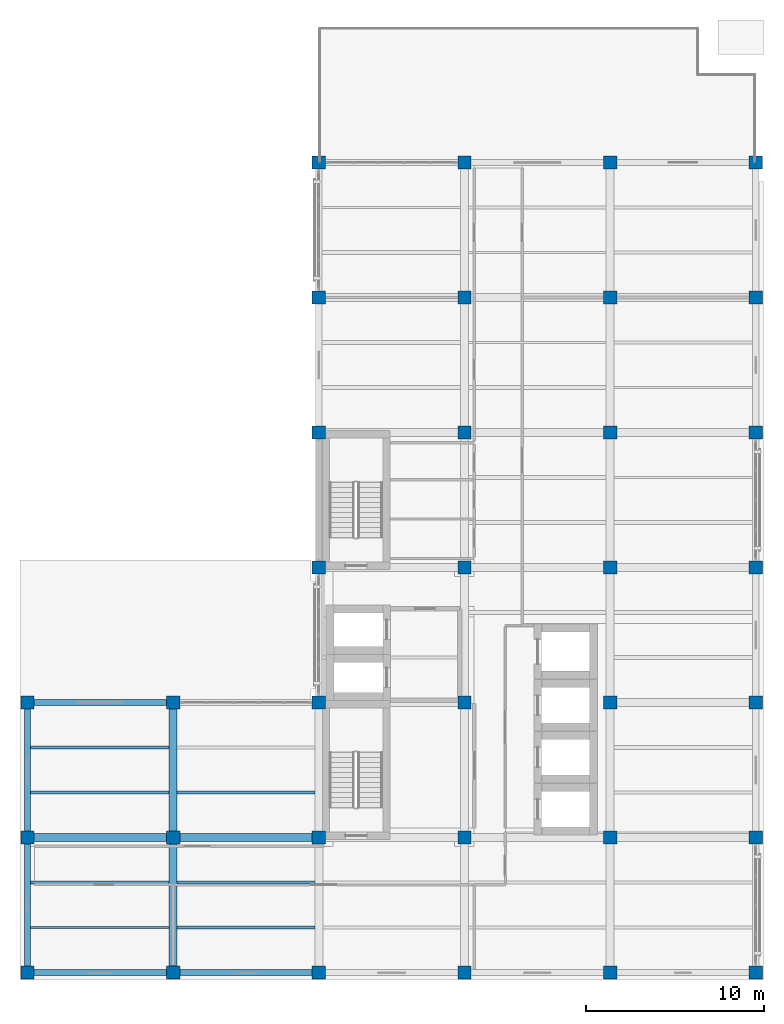
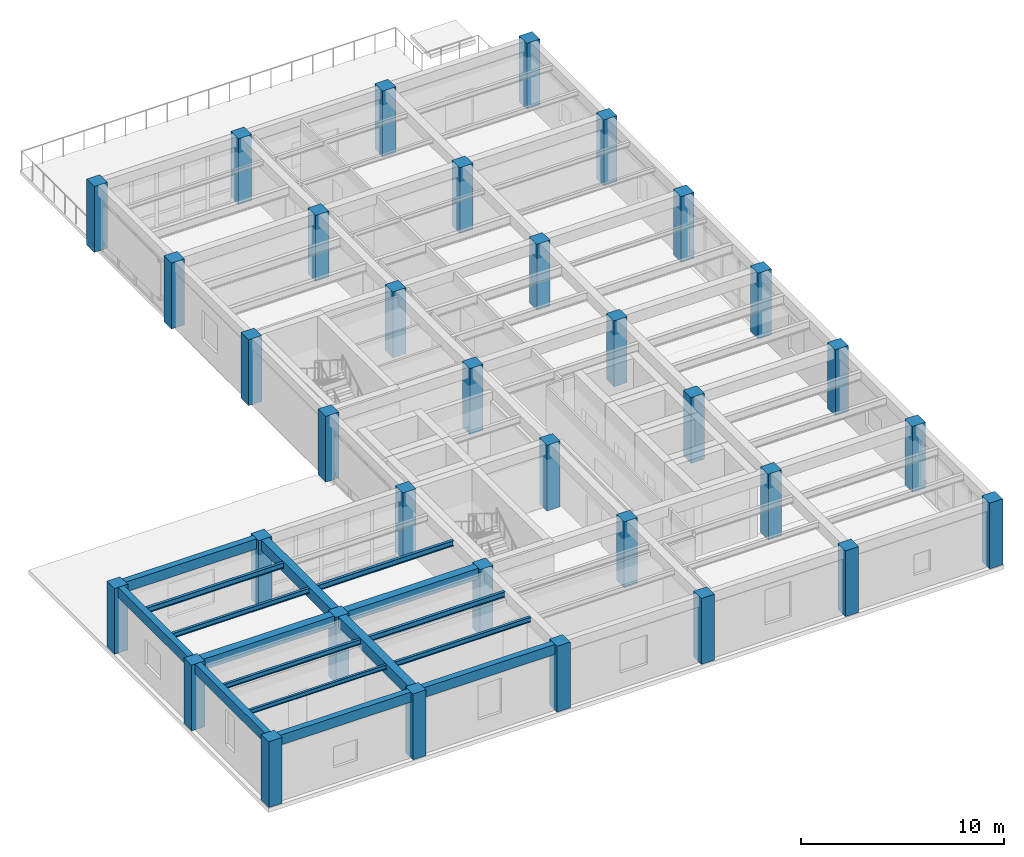
# One storey, part 1 of 12: 34 columns, 16 beams.
"""IFC4 building model written with IfcOpenShell, lengths in metres."""

from ifc_helpers import new_model, si_unit, direction, frame, origin, origin_2d, place, context, subcontext, project, spatial, rectangle, i_section, extrude, material, material_profile, profile_set, type_object, element, save


model = new_model("IFC4")

# Units and contexts
model_context = context("Model", 3, precision=1e-05, world=origin(), true_north=direction((0.0, 1.0)))
body_context = subcontext(model_context, "Body", "Model", "MODEL_VIEW")
ifc_project = project(units=[si_unit("LENGTHUNIT", "METRE"), si_unit("AREAUNIT", "SQUARE_METRE"), si_unit("VOLUMEUNIT", "CUBIC_METRE"), si_unit("PLANEANGLEUNIT", "RADIAN"), si_unit("MASSUNIT", "GRAM", prefix="KILO")], contexts=[model_context])

# Site, building, storey
site_placement = place(None, origin())
site = spatial("IfcSite", under=ifc_project, at=site_placement, CompositionType="ELEMENT")
building_placement = place(site_placement, origin())
building = spatial("IfcBuilding", under=site, at=building_placement, Name="Qandaris Square Conservatory and Botanical Centre", CompositionType="ELEMENT")
storey_placement = place(building_placement, frame((0.0, 0.0, 53.39990234375)))
storey = spatial("IfcBuildingStorey", under=building, at=storey_placement, Name="L12", CompositionType="ELEMENT", Elevation=53.39990234375)

# Columns
ifc_material_1 = material(Name="Concrete C50/60", Category="concrete")
ifc_material_profile_1 = material_profile(ifc_material_1, rectangle(XDim=0.75, YDim=0.75, at=origin_2d()), Name="RC-COL 750x750")
ifc_profile_set_1 = profile_set([ifc_material_profile_1], Name="Concrete C50/60")
column_type = type_object("IfcColumnType", Name="RC Column 750x750", PredefinedType="COLUMN", material=ifc_profile_set_1)
for number, where, z_axis, x_axis, name in (
    (1, (122.800048828125, 16.60009765625, 0.0), (0.0, 0.0, 1.0), (1.0, 0.0, 0.0), "Column B15 (L12)"),
    (2, (122.800048828125, 24.199951171875, 0.0), (0.0, 0.0, 1.0), (1.0, 0.0, 0.0), "Column C15 (L12)"),
    (3, (122.800048828125, 31.800048828125, 0.0), (0.0, 0.0, 1.0), (1.0, 0.0, 0.0), "Column D15 (L12)"),
    (4, (131.0, 16.60009765625, 0.0), (0.0, 0.0, 1.0), (1.0, 0.0, 0.0), "Column B16 (L12)"),
    (5, (131.0, 24.199951171875, 0.0), (0.0, 0.0, 1.0), (1.0, 0.0, 0.0), "Column C16 (L12)"),
    (6, (131.0, 31.800048828125, 0.0), (0.0, 0.0, 1.0), (1.0, 0.0, 0.0), "Column D16 (L12)"),
    (7, (139.199951171875, 16.60009765625, 0.0), (0.0, 0.0, 1.0), (1.0, 0.0, 0.0), "Column B17 (L12)"),
    (8, (139.199951171875, 24.199951171875, 0.0), (0.0, 0.0, 1.0), (1.0, 0.0, 0.0), "Column C17 (L12)"),
    (9, (139.199951171875, 31.800048828125, 0.0), (0.0, 0.0, 1.0), (1.0, 0.0, 0.0), "Column D17 (L12)"),
    (10, (139.199951171875, 39.39990234375, 0.0), (0.0, 0.0, 1.0), (1.0, 0.0, 0.0), "Column E17 (L12)"),
    (11, (139.199951171875, 47.0, 0.0), (0.0, 0.0, 1.0), (1.0, 0.0, 0.0), "Column F17 (L12)"),
    (12, (139.199951171875, 54.60009765625, 0.0), (0.0, 0.0, 1.0), (1.0, 0.0, 0.0), "Column G17 (L12)"),
    (13, (139.199951171875, 62.199951171875, 0.0), (0.0, 0.0, 1.0), (1.0, 0.0, 0.0), "Column H17 (L12)"),
    (14, (147.39990234375, 16.60009765625, 0.0), (0.0, 0.0, 1.0), (1.0, 0.0, 0.0), "Column B18 (L12)"),
    (15, (147.39990234375, 24.199951171875, 0.0), (0.0, 0.0, 1.0), (1.0, 0.0, 0.0), "Column C18 (L12)"),
    (16, (147.39990234375, 31.800048828125, 0.0), (0.0, 0.0, 1.0), (1.0, 0.0, 0.0), "Column D18 (L12)"),
    (17, (147.39990234375, 39.39990234375, 0.0), (0.0, 0.0, 1.0), (1.0, 0.0, 0.0), "Column E18 (L12)"),
    (18, (147.39990234375, 47.0, 0.0), (0.0, 0.0, 1.0), (1.0, 0.0, 0.0), "Column F18 (L12)"),
    (19, (147.39990234375, 54.60009765625, 0.0), (0.0, 0.0, 1.0), (1.0, 0.0, 0.0), "Column G18 (L12)"),
    (20, (147.39990234375, 62.199951171875, 0.0), (0.0, 0.0, 1.0), (1.0, 0.0, 0.0), "Column H18 (L12)"),
    (21, (155.60009765625, 16.60009765625, 0.0), (0.0, 0.0, 1.0), (1.0, 0.0, 0.0), "Column B19 (L12)"),
    (22, (155.60009765625, 24.199951171875, 0.0), (0.0, 0.0, 1.0), (1.0, 0.0, 0.0), "Column C19 (L12)"),
    (23, (155.60009765625, 31.800048828125, 0.0), (0.0, 0.0, 1.0), (1.0, 0.0, 0.0), "Column D19 (L12)"),
    (24, (155.60009765625, 39.39990234375, 0.0), (0.0, 0.0, 1.0), (1.0, 0.0, 0.0), "Column E19 (L12)"),
    (25, (155.60009765625, 47.0, 0.0), (0.0, 0.0, 1.0), (1.0, 0.0, 0.0), "Column F19 (L12)"),
    (26, (155.60009765625, 54.60009765625, 0.0), (0.0, 0.0, 1.0), (1.0, 0.0, 0.0), "Column G19 (L12)"),
    (27, (155.60009765625, 62.199951171875, 0.0), (0.0, 0.0, 1.0), (1.0, 0.0, 0.0), "Column H19 (L12)"),
    (28, (163.800048828125, 16.60009765625, 0.0), (0.0, 0.0, 1.0), (1.0, 0.0, 0.0), "Column B20 (L12)"),
    (29, (163.800048828125, 24.199951171875, 0.0), (0.0, 0.0, 1.0), (1.0, 0.0, 0.0), "Column C20 (L12)"),
    (30, (163.800048828125, 31.800048828125, 0.0), (0.0, 0.0, 1.0), (1.0, 0.0, 0.0), "Column D20 (L12)"),
    (31, (163.800048828125, 39.39990234375, 0.0), (0.0, 0.0, 1.0), (1.0, 0.0, 0.0), "Column E20 (L12)"),
    (32, (163.800048828125, 47.0, 0.0), (0.0, 0.0, 1.0), (1.0, 0.0, 0.0), "Column F20 (L12)"),
    (33, (163.800048828125, 54.60009765625, 0.0), (0.0, 0.0, 1.0), (1.0, 0.0, 0.0), "Column G20 (L12)"),
    (34, (163.800048828125, 62.199951171875, 0.0), (0.0, 0.0, 1.0), (1.0, 0.0, 0.0), "Column H20 (L12)"),
):
    element("IfcColumn", number, at=place(storey_placement, frame(where, z_axis=z_axis, x_axis=x_axis)), inside=storey, type_object=column_type, Name=name, PredefinedType="COLUMN", context=body_context, shape_type="SweptSolid", body=[
        extrude(rectangle(XDim=0.75, YDim=0.75, at=origin_2d()), origin(), (0.0, 0.0, 1.0), 3.960205078125),
    ])

# Beams
ifc_material_2 = material(Name="Steel S355", Category="steel")
ifc_material_profile_2 = material_profile(ifc_material_2, i_section(OverallWidth=0.14990234375, OverallDepth=0.300048828125, WebThickness=0.007080078125, FlangeThickness=0.0107421875, FilletRadius=0.014892578125, at=origin_2d()), Name="IPE 300")
ifc_profile_set_2 = profile_set([ifc_material_profile_2], Name="Steel S355")
beam_type_1 = type_object("IfcBeamType", Name="Composite Lab Joist IPE 300", PredefinedType="JOIST", material=ifc_profile_set_2)
for number, where, z_axis, x_axis, name in (
    (35, (122.97509765625, 21.666748046875, 3.800048828125), (1.0, 0.0, 0.0), (0.0, 1.0, 0.0), "L12 Composite Joist 2699"),
    (36, (122.97509765625, 26.7333984375, 3.800048828125), (1.0, 0.0, 0.0), (0.0, 1.0, 0.0), "L12 Composite Joist 2700"),
):
    element("IfcBeam", number, at=place(storey_placement, frame(where, z_axis=z_axis, x_axis=x_axis)), inside=storey, type_object=beam_type_1, Name=name, PredefinedType="JOIST", context=body_context, shape_type="SweptSolid", body=[
        extrude(i_section(OverallWidth=0.14990234375, OverallDepth=0.300048828125, WebThickness=0.007080078125, FlangeThickness=0.0107421875, FilletRadius=0.014892578125, at=origin_2d()), origin(), (0.0, 0.0, 1.0), 7.7998046875),
    ])
beam_1_placement = place(storey_placement, frame((131.22509765625, 19.13330078125, 3.800048828125), z_axis=(1.0, 0.0, 0.0), x_axis=(0.0, 1.0, 0.0)))
element("IfcBeam", 37, at=beam_1_placement, inside=storey, type_object=beam_type_1, Name="L12 Composite Joist 2702", PredefinedType="JOIST", context=body_context, shape_type="SweptSolid", body=[
    extrude(i_section(OverallWidth=0.14990234375, OverallDepth=0.300048828125, WebThickness=0.007080078125, FlangeThickness=0.0107421875, FilletRadius=0.014892578125, at=origin_2d()), origin(), (0.0, 0.0, 1.0), 7.75),
])
ifc_material_profile_3 = material_profile(ifc_material_2, i_section(OverallWidth=0.159912109375, OverallDepth=0.330078125, WebThickness=0.007568359375, FlangeThickness=0.011474609375, FilletRadius=0.01806640625, at=origin_2d()), Name="IPE 330")
ifc_profile_set_3 = profile_set([ifc_material_profile_3], Name="Steel S355")
beam_type_2 = type_object("IfcBeamType", Name="Composite Lab Joist IPE 330", PredefinedType="JOIST", material=ifc_profile_set_3)
beam_2_placement = place(storey_placement, frame((122.97509765625, 29.2666015625, 3.78515625), z_axis=(1.0, 0.0, 0.0), x_axis=(0.0, 1.0, 0.0)))
element("IfcBeam", 38, at=beam_2_placement, inside=storey, type_object=beam_type_2, Name="L12 Composite Joist 2701", PredefinedType="JOIST", context=body_context, shape_type="SweptSolid", body=[
    extrude(i_section(OverallWidth=0.159912109375, OverallDepth=0.330078125, WebThickness=0.007568359375, FlangeThickness=0.011474609375, FilletRadius=0.01806640625, at=origin_2d()), origin(), (0.0, 0.0, 1.0), 7.7998046875),
])
for number, where, z_axis, x_axis, name in (
    (39, (131.22509765625, 21.666748046875, 3.78515625), (1.0, 0.0, 0.0), (0.0, 1.0, 0.0), "L12 Composite Joist 2703"),
    (40, (131.22509765625, 26.7333984375, 3.78515625), (1.0, 0.0, 0.0), (0.0, 1.0, 0.0), "L12 Composite Joist 2704"),
):
    element("IfcBeam", number, at=place(storey_placement, frame(where, z_axis=z_axis, x_axis=x_axis)), inside=storey, type_object=beam_type_2, Name=name, PredefinedType="JOIST", context=body_context, shape_type="SweptSolid", body=[
        extrude(i_section(OverallWidth=0.159912109375, OverallDepth=0.330078125, WebThickness=0.007568359375, FlangeThickness=0.011474609375, FilletRadius=0.01806640625, at=origin_2d()), origin(), (0.0, 0.0, 1.0), 7.75),
    ])
ifc_material_profile_4 = material_profile(ifc_material_1, rectangle(XDim=0.35009765625, YDim=0.60009765625, at=origin_2d()), Name="RC-SP 350x600")
ifc_profile_set_4 = profile_set([ifc_material_profile_4], Name="Concrete C50/60")
beam_type_3 = type_object("IfcBeamType", Name="RC Edge Spandrel Beam 350x600", PredefinedType="SPANDREL", material=ifc_profile_set_4)
for number, where, z_axis, x_axis, name in (
    (41, (122.800048828125, 16.60009765625, 3.66015625), (1.0, 0.0, 0.0), (0.0, 1.0, 0.0), "L12 Frame Beam 2644"),
    (42, (131.0, 16.60009765625, 3.66015625), (1.0, 0.0, 0.0), (0.0, 1.0, 0.0), "L12 Frame Beam 2645"),
    (43, (122.800048828125, 31.800048828125, 3.66015625), (1.0, 0.0, 0.0), (0.0, 1.0, 0.0), "L12 Frame Beam 2654"),
):
    element("IfcBeam", number, at=place(storey_placement, frame(where, z_axis=z_axis, x_axis=x_axis)), inside=storey, type_object=beam_type_3, Name=name, PredefinedType="SPANDREL", context=body_context, shape_type="SweptSolid", body=[
        extrude(rectangle(XDim=0.35009765625, YDim=0.60009765625, at=origin_2d()), origin(), (0.0, 0.0, 1.0), 8.199951171875),
    ])
beam_3_placement = place(storey_placement, frame((122.800048828125, 16.60009765625, 3.66015625), z_axis=(0.0, 1.0, 0.0), x_axis=(-1.0, 0.0, 0.0)))
element("IfcBeam", 44, at=beam_3_placement, inside=storey, type_object=beam_type_3, Name="L12 Frame Beam 2670", PredefinedType="SPANDREL", context=body_context, shape_type="SweptSolid", body=[
    extrude(rectangle(XDim=0.35009765625, YDim=0.60009765625, at=origin_2d()), origin(), (0.0, 0.0, 1.0), 7.599853515625),
])
beam_4_placement = place(storey_placement, frame((122.800048828125, 24.199951171875, 3.66015625), z_axis=(0.0, 1.0, 0.0), x_axis=(-1.0, 0.0, 0.0)))
element("IfcBeam", 45, at=beam_4_placement, inside=storey, type_object=beam_type_3, Name="L12 Frame Beam 2671", PredefinedType="SPANDREL", context=body_context, shape_type="SweptSolid", body=[
    extrude(rectangle(XDim=0.35009765625, YDim=0.60009765625, at=origin_2d()), origin(), (0.0, 0.0, 1.0), 7.60009765625),
])
ifc_material_profile_5 = material_profile(ifc_material_1, rectangle(XDim=0.449951171875, YDim=0.64990234375, at=origin_2d()), Name="RC-BM 450x650")
ifc_profile_set_5 = profile_set([ifc_material_profile_5], Name="Concrete C50/60")
beam_type_4 = type_object("IfcBeamType", Name="RC Floor Girder 450x650", PredefinedType="BEAM", material=ifc_profile_set_5)
for number, where, z_axis, x_axis, name in (
    (46, (122.800048828125, 24.199951171875, 3.635009765625), (1.0, 0.0, 0.0), (0.0, 1.0, 0.0), "L12 Frame Beam 2649"),
    (47, (131.0, 24.199951171875, 3.635009765625), (1.0, 0.0, 0.0), (0.0, 1.0, 0.0), "L12 Frame Beam 2650"),
):
    element("IfcBeam", number, at=place(storey_placement, frame(where, z_axis=z_axis, x_axis=x_axis)), inside=storey, type_object=beam_type_4, Name=name, PredefinedType="BEAM", context=body_context, shape_type="SweptSolid", body=[
        extrude(rectangle(XDim=0.449951171875, YDim=0.64990234375, at=origin_2d()), origin(), (0.0, 0.0, 1.0), 8.199951171875),
    ])
beam_5_placement = place(storey_placement, frame((131.0, 16.60009765625, 3.635009765625), z_axis=(0.0, 1.0, 0.0), x_axis=(-1.0, 0.0, 0.0)))
element("IfcBeam", 48, at=beam_5_placement, inside=storey, type_object=beam_type_4, Name="L12 Frame Beam 2672", PredefinedType="BEAM", context=body_context, shape_type="SweptSolid", body=[
    extrude(rectangle(XDim=0.449951171875, YDim=0.64990234375, at=origin_2d()), origin(), (0.0, 0.0, 1.0), 7.599853515625),
])
beam_6_placement = place(storey_placement, frame((131.0, 24.199951171875, 3.635009765625), z_axis=(0.0, 1.0, 0.0), x_axis=(-1.0, 0.0, 0.0)))
element("IfcBeam", 49, at=beam_6_placement, inside=storey, type_object=beam_type_4, Name="L12 Frame Beam 2673", PredefinedType="BEAM", context=body_context, shape_type="SweptSolid", body=[
    extrude(rectangle(XDim=0.449951171875, YDim=0.64990234375, at=origin_2d()), origin(), (0.0, 0.0, 1.0), 7.60009765625),
])
ifc_material_profile_6 = material_profile(ifc_material_2, i_section(OverallWidth=0.135009765625, OverallDepth=0.27001953125, WebThickness=0.006591796875, FlangeThickness=0.01025390625, FilletRadius=0.014892578125, at=origin_2d()), Name="IPE 270")
ifc_profile_set_6 = profile_set([ifc_material_profile_6], Name="Steel S355")
beam_type_5 = type_object("IfcBeamType", Name="Steel Floor Joist IPE 270", PredefinedType="JOIST", material=ifc_profile_set_6)
beam_7_placement = place(storey_placement, frame((122.97509765625, 19.13330078125, 3.815185546875), z_axis=(1.0, 0.0, 0.0), x_axis=(0.0, 1.0, 0.0)))
element("IfcBeam", 50, at=beam_7_placement, inside=storey, type_object=beam_type_5, Name="L12 Composite Joist 2698", PredefinedType="JOIST", context=body_context, shape_type="SweptSolid", body=[
    extrude(i_section(OverallWidth=0.135009765625, OverallDepth=0.27001953125, WebThickness=0.006591796875, FlangeThickness=0.01025390625, FilletRadius=0.014892578125, at=origin_2d()), origin(), (0.0, 0.0, 1.0), 7.7998046875),
])

save(model, "model.ifc")
